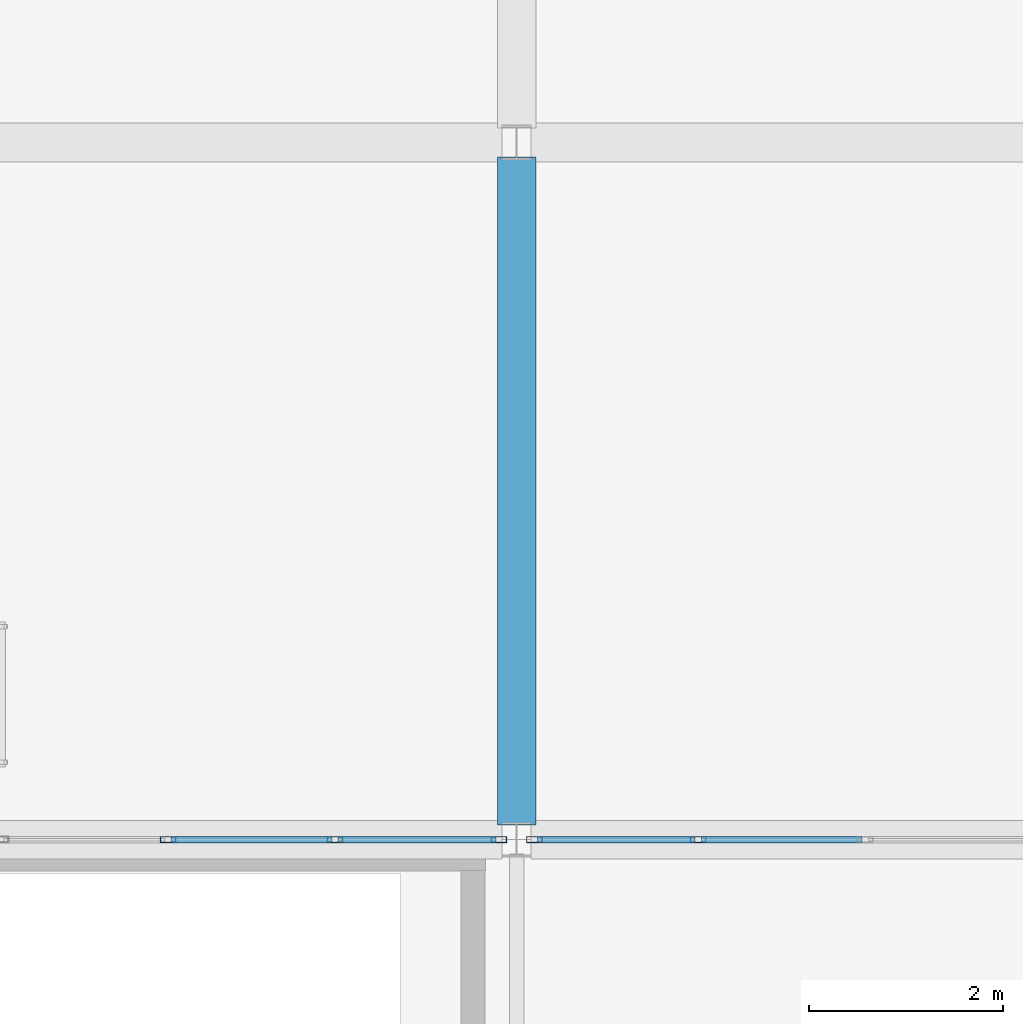
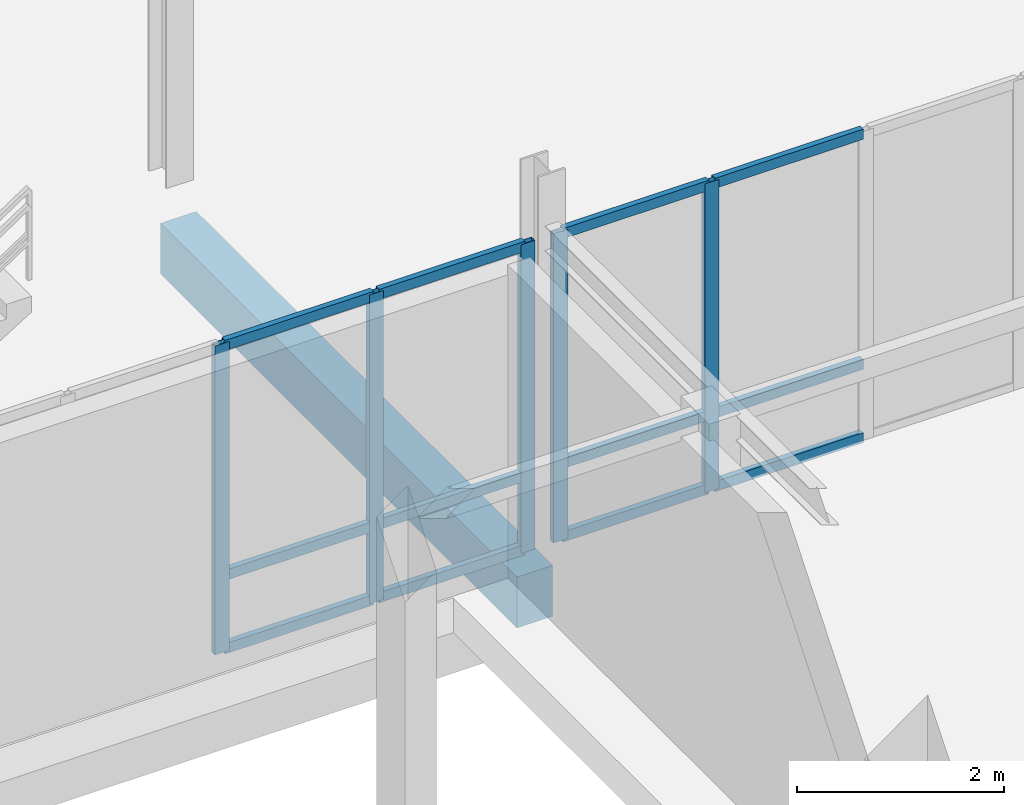
# One storey, part 32 of 139: 17 members, 1 beam, 2 elements without a shape of their own.
"""IFC4 building model written with IfcOpenShell, lengths in metres."""

from ifc_helpers import new_model, si_unit, direction, frame, origin, origin_2d, place, context, subcontext, project, spatial, rectangle, hollow_rectangle, extrude, material, material_profile, profile_set, type_object, element, aggregate, save


model = new_model("IFC4")

# Units and contexts
model_context = context("Model", 3, precision=1e-05, world=origin(), true_north=direction((0.0, 1.0)))
body_context = subcontext(model_context, "Body", "Model", "MODEL_VIEW")
ifc_project = project(units=[si_unit("LENGTHUNIT", "METRE"), si_unit("AREAUNIT", "SQUARE_METRE"), si_unit("VOLUMEUNIT", "CUBIC_METRE"), si_unit("PLANEANGLEUNIT", "RADIAN"), si_unit("MASSUNIT", "GRAM", prefix="KILO")], contexts=[model_context])

# Site, building, storey
site_placement = place(None, origin())
site = spatial("IfcSite", under=ifc_project, at=site_placement, CompositionType="ELEMENT")
building_placement = place(site_placement, origin())
building = spatial("IfcBuilding", under=site, at=building_placement, Name="Suanplinth Sawtooth Commons", CompositionType="ELEMENT")
storey_placement = place(building_placement, origin())
storey = spatial("IfcBuildingStorey", under=building, at=storey_placement, Name="L00", CompositionType="ELEMENT", Elevation=0.0)

# Beam
ifc_material_1 = material(Name="Precast concrete C40/50", Category="concrete")
ifc_material_profile_1 = material_profile(ifc_material_1, rectangle(XDim=0.39990234375, YDim=0.60009765625, at=origin_2d()), Name="PC-GDR 400x600")
ifc_profile_set_1 = profile_set([ifc_material_profile_1], Name="Precast concrete C40/50")
beam_type = type_object("IfcBeamType", Name="B-05", PredefinedType="USERDEFINED", material=ifc_profile_set_1)
beam_placement = place(storey_placement, frame((36.0, 50.550048828125, -0.7099609375), z_axis=(0.0, 1.0, 0.0), x_axis=(-1.0, 0.0, 0.0)))
element("IfcBeam", 1, at=beam_placement, inside=storey, type_object=beam_type, Name="BMY-L00-MKT-5-7", ObjectType="GIRDER", PredefinedType="USERDEFINED", context=body_context, shape_type="SweptSolid", body=[
    extrude(rectangle(XDim=0.39990234375, YDim=0.60009765625, at=origin_2d()), origin(), (0.0, 0.0, 1.0), 6.89990234375),
])

# Curtain wall, members
ifc_material_2 = material(Name="Anodized aluminium and low-E glazing", Category="aluminium")
curtain_wall_type = type_object("IfcCurtainWallType", Name="CW-02", PredefinedType="USERDEFINED", material=ifc_material_2)
curtain_wall_1_placement = place(storey_placement, origin())
curtain_wall_1 = element("IfcCurtainWall", 2, at=curtain_wall_1_placement, inside=storey, type_object=curtain_wall_type, Name="Curtain Wall CW-L00-MKT-S-4", ObjectType="CURTAIN WALL", PredefinedType="USERDEFINED")
ifc_material_3 = material(Name="Anodized aluminium 6063-T6", Category="aluminium")
ifc_material_profile_2 = material_profile(ifc_material_3, hollow_rectangle(XDim=0.06494140625, YDim=0.159912109375, WallThickness=0.00390625, at=origin_2d()), Name="ALU-MUL 65x160")
ifc_profile_set_2 = profile_set([ifc_material_profile_2], Name="Anodized aluminium 6063-T6")
member_type_1 = type_object("IfcMemberType", Name="M-13", PredefinedType="MULLION", material=ifc_profile_set_2)
member_1_placement = place(storey_placement, frame((32.39990234375, 50.39990234375, 0.0), z_axis=(0.0, 0.0, 1.0), x_axis=(0.0, 1.0, 0.0)))
member_1 = element("IfcMember", 3, at=member_1_placement, type_object=member_type_1, Name="CW-02 mullion 3", PredefinedType="MULLION", context=body_context, shape_type="SweptSolid", body=[
    extrude(hollow_rectangle(XDim=0.06494140625, YDim=0.159912109375, WallThickness=0.00390625, at=origin_2d()), origin(), (0.0, 0.0, 1.0), 3.64990234375),
])
member_2_placement = place(storey_placement, frame((34.125, 50.39990234375, 0.0), z_axis=(0.0, 0.0, 1.0), x_axis=(0.0, 1.0, 0.0)))
member_2 = element("IfcMember", 4, at=member_2_placement, type_object=member_type_1, Name="CW-02 mullion 4", PredefinedType="MULLION", context=body_context, shape_type="SweptSolid", body=[
    extrude(hollow_rectangle(XDim=0.06494140625, YDim=0.159912109375, WallThickness=0.00390625, at=origin_2d()), origin(), (0.0, 0.0, 1.0), 3.64990234375),
])
member_3_placement = place(storey_placement, frame((35.8173828125, 50.39990234375, 0.0), z_axis=(0.0, 0.0, 1.0), x_axis=(0.0, 1.0, 0.0)))
member_3 = element("IfcMember", 5, at=member_3_placement, type_object=member_type_1, Name="CW-02 mullion 5", PredefinedType="MULLION", context=body_context, shape_type="SweptSolid", body=[
    extrude(hollow_rectangle(XDim=0.06494140625, YDim=0.159912109375, WallThickness=0.00390625, at=origin_2d()), origin(), (0.0, 0.0, 1.0), 3.64990234375),
])

curtain_wall_2_placement = place(storey_placement, origin())
curtain_wall_2 = element("IfcCurtainWall", 6, at=curtain_wall_2_placement, inside=storey, type_object=curtain_wall_type, Name="Curtain Wall CW-L00-MKT-S-5", ObjectType="CURTAIN WALL", PredefinedType="USERDEFINED")
member_4_placement = place(storey_placement, frame((36.1826171875, 50.39990234375, 0.0), z_axis=(0.0, 0.0, 1.0), x_axis=(0.0, 1.0, 0.0)))
member_4 = element("IfcMember", 7, at=member_4_placement, type_object=member_type_1, Name="CW-02 mullion 1", PredefinedType="MULLION", context=body_context, shape_type="SweptSolid", body=[
    extrude(hollow_rectangle(XDim=0.06494140625, YDim=0.159912109375, WallThickness=0.00390625, at=origin_2d()), origin(), (0.0, 0.0, 1.0), 3.64990234375),
])
member_5_placement = place(storey_placement, frame((37.875, 50.39990234375, 0.0), z_axis=(0.0, 0.0, 1.0), x_axis=(0.0, 1.0, 0.0)))
member_5 = element("IfcMember", 8, at=member_5_placement, type_object=member_type_1, Name="CW-02 mullion 2", PredefinedType="MULLION", context=body_context, shape_type="SweptSolid", body=[
    extrude(hollow_rectangle(XDim=0.06494140625, YDim=0.159912109375, WallThickness=0.00390625, at=origin_2d()), origin(), (0.0, 0.0, 1.0), 3.64990234375),
])

# Member
ifc_material_profile_3 = material_profile(ifc_material_3, hollow_rectangle(XDim=0.06494140625, YDim=0.1201171875, WallThickness=0.00390625, at=origin_2d()), Name="ALU-TRN 65x120")
ifc_profile_set_3 = profile_set([ifc_material_profile_3], Name="Anodized aluminium 6063-T6")
member_type_2 = type_object("IfcMemberType", Name="M-15", PredefinedType="USERDEFINED", material=ifc_profile_set_3)
member_6_placement = place(storey_placement, frame((32.4326171875, 50.39990234375, 0.032470703125), z_axis=(1.0, 0.0, 0.0), x_axis=(0.0, 1.0, 0.0)))
member_6 = element("IfcMember", 9, at=member_6_placement, type_object=member_type_2, Name="CW-02 transom 3.1", ObjectType="TRANSOM", PredefinedType="USERDEFINED", context=body_context, shape_type="SweptSolid", body=[
    extrude(hollow_rectangle(XDim=0.06494140625, YDim=0.1201171875, WallThickness=0.00390625, at=origin_2d()), origin(), (0.0, 0.0, 1.0), 1.659912109375),
])

member_7_placement = place(storey_placement, frame((32.4326171875, 50.39990234375, 0.89990234375), z_axis=(1.0, 0.0, 0.0), x_axis=(0.0, 1.0, 0.0)))
member_7 = element("IfcMember", 10, at=member_7_placement, type_object=member_type_2, Name="CW-02 transom 3.2", ObjectType="TRANSOM", PredefinedType="USERDEFINED", context=body_context, shape_type="SweptSolid", body=[
    extrude(hollow_rectangle(XDim=0.06494140625, YDim=0.1201171875, WallThickness=0.00390625, at=origin_2d()), origin(), (0.0, 0.0, 1.0), 1.659912109375),
])

member_8_placement = place(storey_placement, frame((32.4326171875, 50.39990234375, 3.617431640625), z_axis=(1.0, 0.0, 0.0), x_axis=(0.0, 1.0, 0.0)))
member_8 = element("IfcMember", 11, at=member_8_placement, type_object=member_type_2, Name="CW-02 transom 3.3", ObjectType="TRANSOM", PredefinedType="USERDEFINED", context=body_context, shape_type="SweptSolid", body=[
    extrude(hollow_rectangle(XDim=0.06494140625, YDim=0.1201171875, WallThickness=0.00390625, at=origin_2d()), origin(), (0.0, 0.0, 1.0), 1.659912109375),
])

member_9_placement = place(storey_placement, frame((34.157470703125, 50.39990234375, 0.032470703125), z_axis=(1.0, 0.0, 0.0), x_axis=(0.0, 1.0, 0.0)))
member_9 = element("IfcMember", 12, at=member_9_placement, type_object=member_type_2, Name="CW-02 transom 4.1", ObjectType="TRANSOM", PredefinedType="USERDEFINED", context=body_context, shape_type="SweptSolid", body=[
    extrude(hollow_rectangle(XDim=0.06494140625, YDim=0.1201171875, WallThickness=0.00390625, at=origin_2d()), origin(), (0.0, 0.0, 1.0), 1.62744140625),
])

member_10_placement = place(storey_placement, frame((34.157470703125, 50.39990234375, 0.89990234375), z_axis=(1.0, 0.0, 0.0), x_axis=(0.0, 1.0, 0.0)))
member_10 = element("IfcMember", 13, at=member_10_placement, type_object=member_type_2, Name="CW-02 transom 4.2", ObjectType="TRANSOM", PredefinedType="USERDEFINED", context=body_context, shape_type="SweptSolid", body=[
    extrude(hollow_rectangle(XDim=0.06494140625, YDim=0.1201171875, WallThickness=0.00390625, at=origin_2d()), origin(), (0.0, 0.0, 1.0), 1.62744140625),
])

member_11_placement = place(storey_placement, frame((34.157470703125, 50.39990234375, 3.617431640625), z_axis=(1.0, 0.0, 0.0), x_axis=(0.0, 1.0, 0.0)))
member_11 = element("IfcMember", 14, at=member_11_placement, type_object=member_type_2, Name="CW-02 transom 4.3", ObjectType="TRANSOM", PredefinedType="USERDEFINED", context=body_context, shape_type="SweptSolid", body=[
    extrude(hollow_rectangle(XDim=0.06494140625, YDim=0.1201171875, WallThickness=0.00390625, at=origin_2d()), origin(), (0.0, 0.0, 1.0), 1.62744140625),
])

aggregate(curtain_wall_1, [member_1, member_2, member_3, member_6, member_7, member_8, member_9, member_10, member_11])

member_12_placement = place(storey_placement, frame((36.215087890625, 50.39990234375, 0.032470703125), z_axis=(1.0, 0.0, 0.0), x_axis=(0.0, 1.0, 0.0)))
member_12 = element("IfcMember", 15, at=member_12_placement, type_object=member_type_2, Name="CW-02 transom 1.1", ObjectType="TRANSOM", PredefinedType="USERDEFINED", context=body_context, shape_type="SweptSolid", body=[
    extrude(hollow_rectangle(XDim=0.06494140625, YDim=0.1201171875, WallThickness=0.00390625, at=origin_2d()), origin(), (0.0, 0.0, 1.0), 1.62744140625),
])

member_13_placement = place(storey_placement, frame((36.215087890625, 50.39990234375, 0.89990234375), z_axis=(1.0, 0.0, 0.0), x_axis=(0.0, 1.0, 0.0)))
member_13 = element("IfcMember", 16, at=member_13_placement, type_object=member_type_2, Name="CW-02 transom 1.2", ObjectType="TRANSOM", PredefinedType="USERDEFINED", context=body_context, shape_type="SweptSolid", body=[
    extrude(hollow_rectangle(XDim=0.06494140625, YDim=0.1201171875, WallThickness=0.00390625, at=origin_2d()), origin(), (0.0, 0.0, 1.0), 1.62744140625),
])

member_14_placement = place(storey_placement, frame((36.215087890625, 50.39990234375, 3.617431640625), z_axis=(1.0, 0.0, 0.0), x_axis=(0.0, 1.0, 0.0)))
member_14 = element("IfcMember", 17, at=member_14_placement, type_object=member_type_2, Name="CW-02 transom 1.3", ObjectType="TRANSOM", PredefinedType="USERDEFINED", context=body_context, shape_type="SweptSolid", body=[
    extrude(hollow_rectangle(XDim=0.06494140625, YDim=0.1201171875, WallThickness=0.00390625, at=origin_2d()), origin(), (0.0, 0.0, 1.0), 1.62744140625),
])

member_15_placement = place(storey_placement, frame((37.907470703125, 50.39990234375, 0.032470703125), z_axis=(1.0, 0.0, 0.0), x_axis=(0.0, 1.0, 0.0)))
member_15 = element("IfcMember", 18, at=member_15_placement, type_object=member_type_2, Name="CW-02 transom 2.1", ObjectType="TRANSOM", PredefinedType="USERDEFINED", context=body_context, shape_type="SweptSolid", body=[
    extrude(hollow_rectangle(XDim=0.06494140625, YDim=0.1201171875, WallThickness=0.00390625, at=origin_2d()), origin(), (0.0, 0.0, 1.0), 1.659912109375),
])

member_16_placement = place(storey_placement, frame((37.907470703125, 50.39990234375, 0.89990234375), z_axis=(1.0, 0.0, 0.0), x_axis=(0.0, 1.0, 0.0)))
member_16 = element("IfcMember", 19, at=member_16_placement, type_object=member_type_2, Name="CW-02 transom 2.2", ObjectType="TRANSOM", PredefinedType="USERDEFINED", context=body_context, shape_type="SweptSolid", body=[
    extrude(hollow_rectangle(XDim=0.06494140625, YDim=0.1201171875, WallThickness=0.00390625, at=origin_2d()), origin(), (0.0, 0.0, 1.0), 1.659912109375),
])

member_17_placement = place(storey_placement, frame((37.907470703125, 50.39990234375, 3.617431640625), z_axis=(1.0, 0.0, 0.0), x_axis=(0.0, 1.0, 0.0)))
member_17 = element("IfcMember", 20, at=member_17_placement, type_object=member_type_2, Name="CW-02 transom 2.3", ObjectType="TRANSOM", PredefinedType="USERDEFINED", context=body_context, shape_type="SweptSolid", body=[
    extrude(hollow_rectangle(XDim=0.06494140625, YDim=0.1201171875, WallThickness=0.00390625, at=origin_2d()), origin(), (0.0, 0.0, 1.0), 1.659912109375),
])

aggregate(curtain_wall_2, [member_4, member_5, member_12, member_13, member_14, member_15, member_16, member_17])

save(model, "model.ifc")
